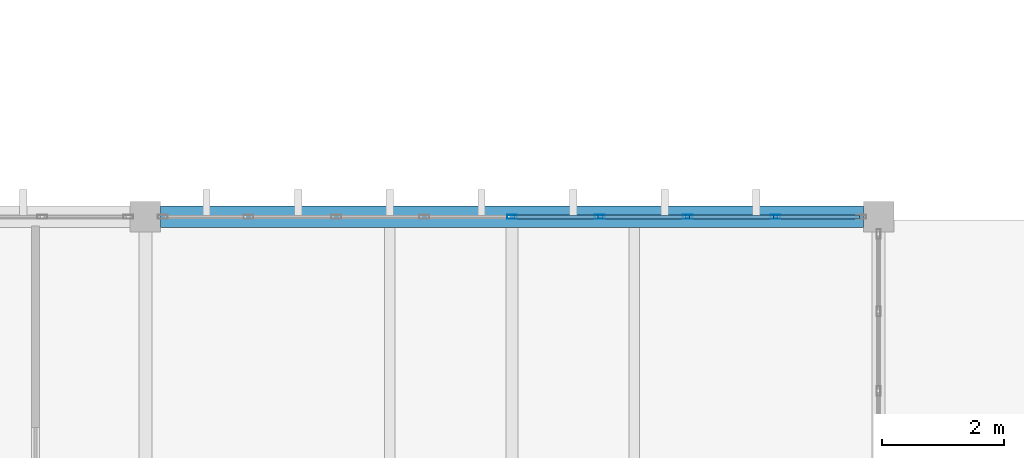
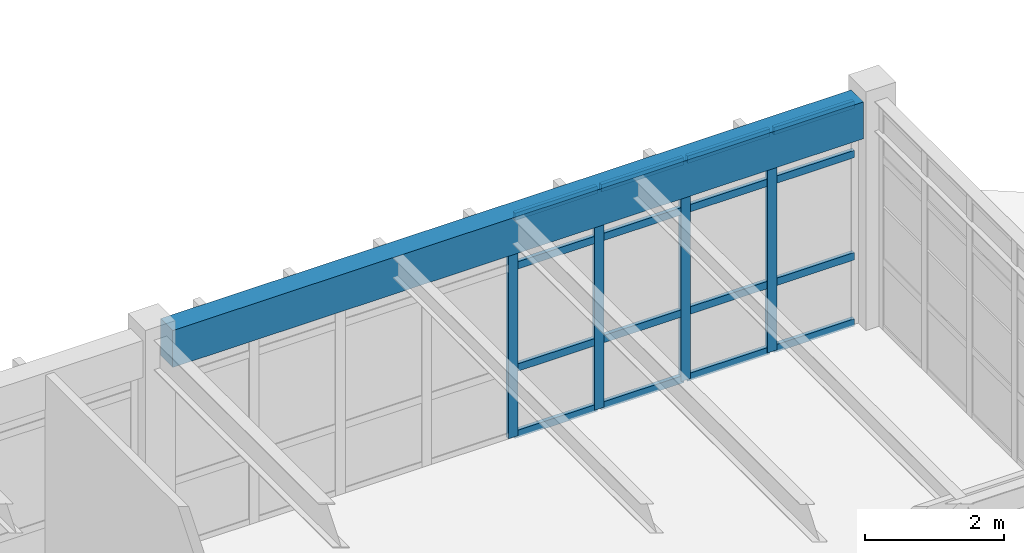
# One storey, part 21 of 83: 20 members, 1 beam, 1 element without a shape of its own.
"""IFC4 building model written with IfcOpenShell, lengths in metres."""

from ifc_helpers import new_model, si_unit, direction, frame, origin, origin_2d, place, context, subcontext, project, spatial, rectangle, hollow_rectangle, extrude, material, layer, layer_set, material_profile, profile_set, type_object, element, aggregate, save


model = new_model("IFC4")

# Units and contexts
model_context = context("Model", 3, precision=1e-05, world=origin(), true_north=direction((0.0, 1.0)))
body_context = subcontext(model_context, "Body", "Model", "MODEL_VIEW")
ifc_project = project(units=[si_unit("LENGTHUNIT", "METRE"), si_unit("AREAUNIT", "SQUARE_METRE"), si_unit("VOLUMEUNIT", "CUBIC_METRE"), si_unit("PLANEANGLEUNIT", "RADIAN"), si_unit("MASSUNIT", "GRAM", prefix="KILO")], contexts=[model_context])

# Site, building, storey
site_placement = place(None, origin())
site = spatial("IfcSite", under=ifc_project, at=site_placement, CompositionType="ELEMENT")
building_placement = place(site_placement, origin())
building = spatial("IfcBuilding", under=site, at=building_placement, Name="Pandanus Reach Market Hall", CompositionType="ELEMENT")
storey_placement = place(building_placement, frame((0.0, 0.0, 10.199951171875)))
storey = spatial("IfcBuildingStorey", under=building, at=storey_placement, Name="L02", CompositionType="ELEMENT", Elevation=10.199951171875)

# Beam
ifc_material_1 = material(Name="Concrete N40 (40 MPa)", Category="concrete")
ifc_material_profile_1 = material_profile(ifc_material_1, rectangle(XDim=0.35009765625, YDim=0.64990234375, at=origin_2d()), Name="RC350x650", Category="LoadBearing")
ifc_profile_set_1 = profile_set([ifc_material_profile_1], Name="Concrete N40 (40 MPa)")
beam_type = type_object("IfcBeamType", Name="BM-RC350-E", PredefinedType="SPANDREL", material=ifc_profile_set_1)
beam_placement = place(storey_placement, frame((12.248046875, 28.800048828125, 3.655029296875), z_axis=(1.0, 0.0, 0.0), x_axis=(0.0, 1.0, 0.0)))
element("IfcBeam", 1, at=beam_placement, inside=storey, type_object=beam_type, Name="Framing beam BM-RC350-E L02.1018", PredefinedType="SPANDREL", context=body_context, shape_type="SweptSolid", body=[
    extrude(rectangle(XDim=0.35009765625, YDim=0.64990234375, at=origin_2d()), origin(), (0.0, 0.0, 1.0), 11.50390625),
])

# Curtain wall, members
ifc_material_2 = material(Name="Bronze anodised aluminium and low-E glass", Category="aluminium")
ifc_layer = layer(ifc_material_2, 0.159912109375, Name="CW-22")
ifc_layer_set = layer_set([ifc_layer], Name="Bronze anodised aluminium and low-E glass")
curtain_wall_type = type_object("IfcCurtainWallType", Name="CW-22", PredefinedType="NOTDEFINED", material=ifc_layer_set)
curtain_wall_placement = place(storey_placement, origin())
curtain_wall = element("IfcCurtainWall", 2, at=curtain_wall_placement, inside=storey, type_object=curtain_wall_type, Name="Glazed curtain wall CW-22 CW-0066", PredefinedType="NOTDEFINED")
ifc_material_3 = material(Name="Bronze anodised aluminium", Category="aluminium")
ifc_material_profile_2 = material_profile(ifc_material_3, hollow_rectangle(XDim=0.06494140625, YDim=0.159912109375, WallThickness=0.00390625, at=origin_2d()), Name="ALU65x160", Category="LoadBearing")
ifc_profile_set_2 = profile_set([ifc_material_profile_2], Name="Bronze anodised aluminium")
member_type_1 = type_object("IfcMemberType", Name="CW-M1", PredefinedType="MULLION", material=ifc_profile_set_2)
member_1_placement = place(storey_placement, frame((18.0, 28.800048828125, 0.0), z_axis=(0.0, 0.0, 1.0), x_axis=(0.0, 1.0, 0.0)))
member_1 = element("IfcMember", 3, at=member_1_placement, type_object=member_type_1, Name="CW-22 mullion 5", PredefinedType="MULLION", context=body_context, shape_type="SweptSolid", body=[
    extrude(hollow_rectangle(XDim=0.06494140625, YDim=0.159912109375, WallThickness=0.00390625, at=origin_2d()), origin(), (0.0, 0.0, 1.0), 3.900146484375),
])
member_2_placement = place(storey_placement, frame((19.4375, 28.800048828125, 0.0), z_axis=(0.0, 0.0, 1.0), x_axis=(0.0, 1.0, 0.0)))
member_2 = element("IfcMember", 4, at=member_2_placement, type_object=member_type_1, Name="CW-22 mullion 6", PredefinedType="MULLION", context=body_context, shape_type="SweptSolid", body=[
    extrude(hollow_rectangle(XDim=0.06494140625, YDim=0.159912109375, WallThickness=0.00390625, at=origin_2d()), origin(), (0.0, 0.0, 1.0), 3.900146484375),
])
member_3_placement = place(storey_placement, frame((20.875, 28.800048828125, 0.0), z_axis=(0.0, 0.0, 1.0), x_axis=(0.0, 1.0, 0.0)))
member_3 = element("IfcMember", 5, at=member_3_placement, type_object=member_type_1, Name="CW-22 mullion 7", PredefinedType="MULLION", context=body_context, shape_type="SweptSolid", body=[
    extrude(hollow_rectangle(XDim=0.06494140625, YDim=0.159912109375, WallThickness=0.00390625, at=origin_2d()), origin(), (0.0, 0.0, 1.0), 3.900146484375),
])
member_4_placement = place(storey_placement, frame((22.3125, 28.800048828125, 0.0), z_axis=(0.0, 0.0, 1.0), x_axis=(0.0, 1.0, 0.0)))
member_4 = element("IfcMember", 6, at=member_4_placement, type_object=member_type_1, Name="CW-22 mullion 8", PredefinedType="MULLION", context=body_context, shape_type="SweptSolid", body=[
    extrude(hollow_rectangle(XDim=0.06494140625, YDim=0.159912109375, WallThickness=0.00390625, at=origin_2d()), origin(), (0.0, 0.0, 1.0), 3.900146484375),
])
ifc_material_profile_3 = material_profile(ifc_material_3, hollow_rectangle(XDim=0.06494140625, YDim=0.1298828125, WallThickness=0.00390625, at=origin_2d()), Name="ALU65x130", Category="LoadBearing")
ifc_profile_set_3 = profile_set([ifc_material_profile_3], Name="Bronze anodised aluminium")
member_type_2 = type_object("IfcMemberType", Name="CW-T1", PredefinedType="USERDEFINED", material=ifc_profile_set_3)
member_5_placement = place(storey_placement, frame((18.032470703125, 28.800048828125, 0.032470703125), z_axis=(1.0, 0.0, 0.0), x_axis=(0.0, 1.0, 0.0)))
member_5 = element("IfcMember", 7, at=member_5_placement, type_object=member_type_2, Name="CW-22 transom 5.1", ObjectType="TRANSOM", PredefinedType="USERDEFINED", context=body_context, shape_type="SweptSolid", body=[
    extrude(hollow_rectangle(XDim=0.06494140625, YDim=0.1298828125, WallThickness=0.00390625, at=origin_2d()), origin(), (0.0, 0.0, 1.0), 1.37255859375),
])
member_6_placement = place(storey_placement, frame((18.032470703125, 28.800048828125, 1.199951171875), z_axis=(1.0, 0.0, 0.0), x_axis=(0.0, 1.0, 0.0)))
member_6 = element("IfcMember", 8, at=member_6_placement, type_object=member_type_2, Name="CW-22 transom 5.2", ObjectType="TRANSOM", PredefinedType="USERDEFINED", context=body_context, shape_type="SweptSolid", body=[
    extrude(hollow_rectangle(XDim=0.06494140625, YDim=0.1298828125, WallThickness=0.00390625, at=origin_2d()), origin(), (0.0, 0.0, 1.0), 1.37255859375),
])
member_7_placement = place(storey_placement, frame((18.032470703125, 28.800048828125, 3.0), z_axis=(1.0, 0.0, 0.0), x_axis=(0.0, 1.0, 0.0)))
member_7 = element("IfcMember", 9, at=member_7_placement, type_object=member_type_2, Name="CW-22 transom 5.3", ObjectType="TRANSOM", PredefinedType="USERDEFINED", context=body_context, shape_type="SweptSolid", body=[
    extrude(hollow_rectangle(XDim=0.06494140625, YDim=0.1298828125, WallThickness=0.00390625, at=origin_2d()), origin(), (0.0, 0.0, 1.0), 1.37255859375),
])
member_8_placement = place(storey_placement, frame((18.032470703125, 28.800048828125, 3.867431640625), z_axis=(1.0, 0.0, 0.0), x_axis=(0.0, 1.0, 0.0)))
member_8 = element("IfcMember", 10, at=member_8_placement, type_object=member_type_2, Name="CW-22 transom 5.4", ObjectType="TRANSOM", PredefinedType="USERDEFINED", context=body_context, shape_type="SweptSolid", body=[
    extrude(hollow_rectangle(XDim=0.06494140625, YDim=0.1298828125, WallThickness=0.00390625, at=origin_2d()), origin(), (0.0, 0.0, 1.0), 1.37255859375),
])
member_9_placement = place(storey_placement, frame((19.469970703125, 28.800048828125, 0.032470703125), z_axis=(1.0, 0.0, 0.0), x_axis=(0.0, 1.0, 0.0)))
member_9 = element("IfcMember", 11, at=member_9_placement, type_object=member_type_2, Name="CW-22 transom 6.1", ObjectType="TRANSOM", PredefinedType="USERDEFINED", context=body_context, shape_type="SweptSolid", body=[
    extrude(hollow_rectangle(XDim=0.06494140625, YDim=0.1298828125, WallThickness=0.00390625, at=origin_2d()), origin(), (0.0, 0.0, 1.0), 1.37255859375),
])
member_10_placement = place(storey_placement, frame((19.469970703125, 28.800048828125, 1.199951171875), z_axis=(1.0, 0.0, 0.0), x_axis=(0.0, 1.0, 0.0)))
member_10 = element("IfcMember", 12, at=member_10_placement, type_object=member_type_2, Name="CW-22 transom 6.2", ObjectType="TRANSOM", PredefinedType="USERDEFINED", context=body_context, shape_type="SweptSolid", body=[
    extrude(hollow_rectangle(XDim=0.06494140625, YDim=0.1298828125, WallThickness=0.00390625, at=origin_2d()), origin(), (0.0, 0.0, 1.0), 1.37255859375),
])
member_11_placement = place(storey_placement, frame((19.469970703125, 28.800048828125, 3.0), z_axis=(1.0, 0.0, 0.0), x_axis=(0.0, 1.0, 0.0)))
member_11 = element("IfcMember", 13, at=member_11_placement, type_object=member_type_2, Name="CW-22 transom 6.3", ObjectType="TRANSOM", PredefinedType="USERDEFINED", context=body_context, shape_type="SweptSolid", body=[
    extrude(hollow_rectangle(XDim=0.06494140625, YDim=0.1298828125, WallThickness=0.00390625, at=origin_2d()), origin(), (0.0, 0.0, 1.0), 1.37255859375),
])
member_12_placement = place(storey_placement, frame((19.469970703125, 28.800048828125, 3.867431640625), z_axis=(1.0, 0.0, 0.0), x_axis=(0.0, 1.0, 0.0)))
member_12 = element("IfcMember", 14, at=member_12_placement, type_object=member_type_2, Name="CW-22 transom 6.4", ObjectType="TRANSOM", PredefinedType="USERDEFINED", context=body_context, shape_type="SweptSolid", body=[
    extrude(hollow_rectangle(XDim=0.06494140625, YDim=0.1298828125, WallThickness=0.00390625, at=origin_2d()), origin(), (0.0, 0.0, 1.0), 1.37255859375),
])
member_13_placement = place(storey_placement, frame((20.907470703125, 28.800048828125, 0.032470703125), z_axis=(1.0, 0.0, 0.0), x_axis=(0.0, 1.0, 0.0)))
member_13 = element("IfcMember", 15, at=member_13_placement, type_object=member_type_2, Name="CW-22 transom 7.1", ObjectType="TRANSOM", PredefinedType="USERDEFINED", context=body_context, shape_type="SweptSolid", body=[
    extrude(hollow_rectangle(XDim=0.06494140625, YDim=0.1298828125, WallThickness=0.00390625, at=origin_2d()), origin(), (0.0, 0.0, 1.0), 1.37255859375),
])
member_14_placement = place(storey_placement, frame((20.907470703125, 28.800048828125, 1.199951171875), z_axis=(1.0, 0.0, 0.0), x_axis=(0.0, 1.0, 0.0)))
member_14 = element("IfcMember", 16, at=member_14_placement, type_object=member_type_2, Name="CW-22 transom 7.2", ObjectType="TRANSOM", PredefinedType="USERDEFINED", context=body_context, shape_type="SweptSolid", body=[
    extrude(hollow_rectangle(XDim=0.06494140625, YDim=0.1298828125, WallThickness=0.00390625, at=origin_2d()), origin(), (0.0, 0.0, 1.0), 1.37255859375),
])
member_15_placement = place(storey_placement, frame((20.907470703125, 28.800048828125, 3.0), z_axis=(1.0, 0.0, 0.0), x_axis=(0.0, 1.0, 0.0)))
member_15 = element("IfcMember", 17, at=member_15_placement, type_object=member_type_2, Name="CW-22 transom 7.3", ObjectType="TRANSOM", PredefinedType="USERDEFINED", context=body_context, shape_type="SweptSolid", body=[
    extrude(hollow_rectangle(XDim=0.06494140625, YDim=0.1298828125, WallThickness=0.00390625, at=origin_2d()), origin(), (0.0, 0.0, 1.0), 1.37255859375),
])
member_16_placement = place(storey_placement, frame((20.907470703125, 28.800048828125, 3.867431640625), z_axis=(1.0, 0.0, 0.0), x_axis=(0.0, 1.0, 0.0)))
member_16 = element("IfcMember", 18, at=member_16_placement, type_object=member_type_2, Name="CW-22 transom 7.4", ObjectType="TRANSOM", PredefinedType="USERDEFINED", context=body_context, shape_type="SweptSolid", body=[
    extrude(hollow_rectangle(XDim=0.06494140625, YDim=0.1298828125, WallThickness=0.00390625, at=origin_2d()), origin(), (0.0, 0.0, 1.0), 1.37255859375),
])
member_17_placement = place(storey_placement, frame((22.344970703125, 28.800048828125, 0.032470703125), z_axis=(1.0, 0.0, 0.0), x_axis=(0.0, 1.0, 0.0)))
member_17 = element("IfcMember", 19, at=member_17_placement, type_object=member_type_2, Name="CW-22 transom 8.1", ObjectType="TRANSOM", PredefinedType="USERDEFINED", context=body_context, shape_type="SweptSolid", body=[
    extrude(hollow_rectangle(XDim=0.06494140625, YDim=0.1298828125, WallThickness=0.00390625, at=origin_2d()), origin(), (0.0, 0.0, 1.0), 1.340087890625),
])
member_18_placement = place(storey_placement, frame((22.344970703125, 28.800048828125, 1.199951171875), z_axis=(1.0, 0.0, 0.0), x_axis=(0.0, 1.0, 0.0)))
member_18 = element("IfcMember", 20, at=member_18_placement, type_object=member_type_2, Name="CW-22 transom 8.2", ObjectType="TRANSOM", PredefinedType="USERDEFINED", context=body_context, shape_type="SweptSolid", body=[
    extrude(hollow_rectangle(XDim=0.06494140625, YDim=0.1298828125, WallThickness=0.00390625, at=origin_2d()), origin(), (0.0, 0.0, 1.0), 1.340087890625),
])
member_19_placement = place(storey_placement, frame((22.344970703125, 28.800048828125, 3.0), z_axis=(1.0, 0.0, 0.0), x_axis=(0.0, 1.0, 0.0)))
member_19 = element("IfcMember", 21, at=member_19_placement, type_object=member_type_2, Name="CW-22 transom 8.3", ObjectType="TRANSOM", PredefinedType="USERDEFINED", context=body_context, shape_type="SweptSolid", body=[
    extrude(hollow_rectangle(XDim=0.06494140625, YDim=0.1298828125, WallThickness=0.00390625, at=origin_2d()), origin(), (0.0, 0.0, 1.0), 1.340087890625),
])
member_20_placement = place(storey_placement, frame((22.344970703125, 28.800048828125, 3.867431640625), z_axis=(1.0, 0.0, 0.0), x_axis=(0.0, 1.0, 0.0)))
member_20 = element("IfcMember", 22, at=member_20_placement, type_object=member_type_2, Name="CW-22 transom 8.4", ObjectType="TRANSOM", PredefinedType="USERDEFINED", context=body_context, shape_type="SweptSolid", body=[
    extrude(hollow_rectangle(XDim=0.06494140625, YDim=0.1298828125, WallThickness=0.00390625, at=origin_2d()), origin(), (0.0, 0.0, 1.0), 1.340087890625),
])
aggregate(curtain_wall, [member_1, member_2, member_3, member_4, member_5, member_6, member_7, member_8, member_9, member_10, member_11, member_12, member_13, member_14, member_15, member_16, member_17, member_18, member_19, member_20])

save(model, "model.ifc")
